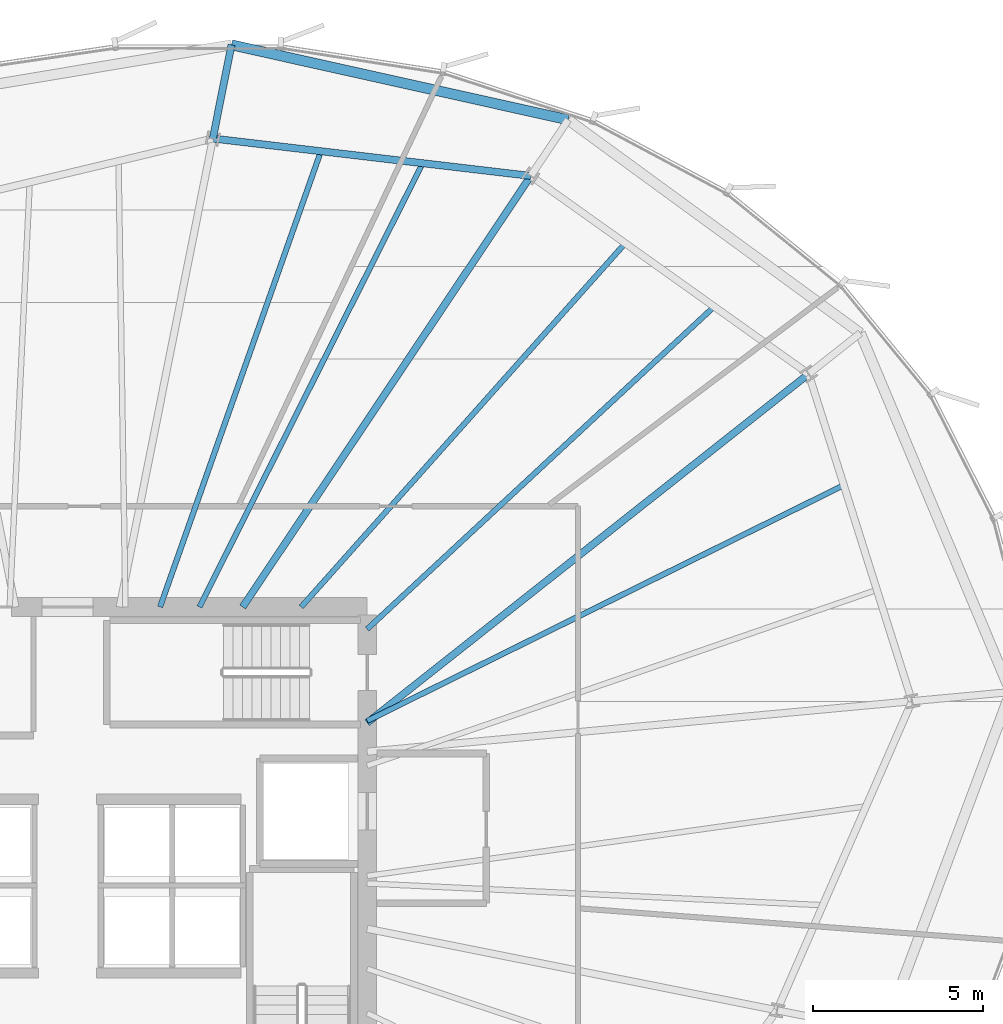
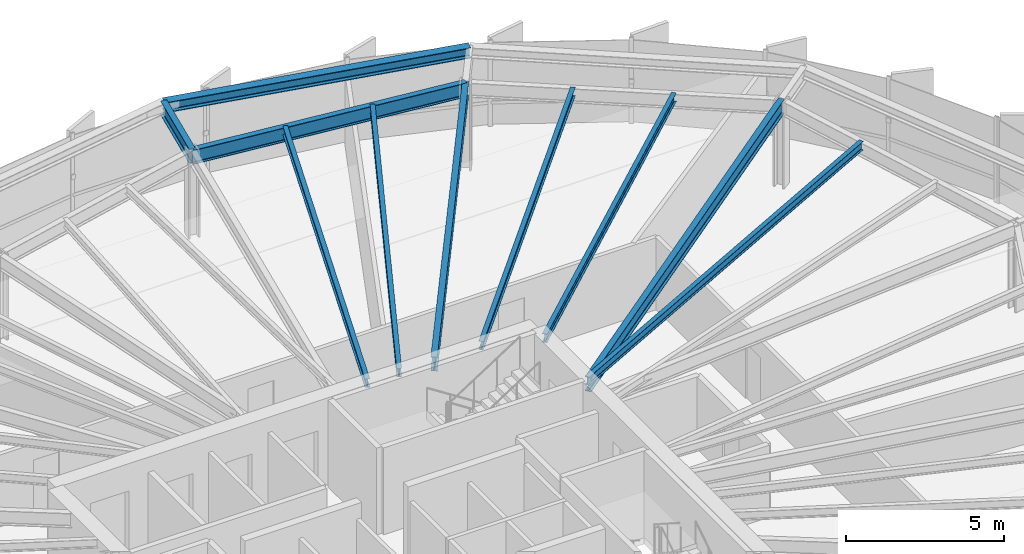
# One storey, part 22 of 33: 10 beams.
"""IFC4 building model written with IfcOpenShell, lengths in metres."""

import ifcopenshell
import ifcopenshell.guid

model = None  # the IFC model being written
_history = None  # IfcOwnerHistory: only IFC2X3 demands one
_inside = {}  # id of a spatial element -> (the spatial element, [elements in it])
_under = {}  # id of a project, library or spatial element -> (it, [spatial elements below it])
_declared = {}  # id of a project -> (the project, [libraries it declares])
_typed = {}  # id of a type object -> (the type object, [elements of that type])
_made_of = {}  # id of a material, layer set ... -> (it, [elements and type objects made of it])


def new_model(schema):
    """Start an empty IFC model of exactly this schema.

    Asked for "IFC4X3", IfcOpenShell would pick the latest addendum, in which some entities
    have other attributes; the version numbers below select the first issue.
    IFC2X3 requires an IfcOwnerHistory on every rooted entity: one is made here for all.
    """
    global model, _history
    if schema == "IFC4X3":
        model = ifcopenshell.file(schema_version=(4, 3, 0, 0))
    else:
        model = ifcopenshell.file(schema=schema)
    _inside.clear()
    _under.clear()
    _declared.clear()
    _typed.clear()
    _made_of.clear()
    _history = None
    if model.schema == "IFC2X3":
        org = make("IfcOrganization", Name="unknown")
        user = make(
            "IfcPersonAndOrganization",
            ThePerson=make("IfcPerson", FamilyName="unknown"),
            TheOrganization=org,
        )
        app = make(
            "IfcApplication",
            ApplicationDeveloper=org,
            Version="unknown",
            ApplicationFullName="unknown",
            ApplicationIdentifier="unknown",
        )
        _history = make(
            "IfcOwnerHistory",
            OwningUser=user,
            OwningApplication=app,
            ChangeAction="ADDED",
            CreationDate=0,
        )
    return model


def make(cls, **values):
    """One entity of the class cls with the attributes given. An attribute that is None is left unset."""
    return model.create_entity(
        cls, **{name: value for name, value in values.items() if value is not None}
    )


def rooted(cls, **values):
    """An entity with a GlobalId (a new one), such as an element, a storey or a relation."""
    return make(cls, GlobalId=ifcopenshell.guid.new(), OwnerHistory=_history, **values)


def si_unit(unit_type, name, prefix=None):
    """IfcSIUnit, for example si_unit("LENGTHUNIT", "METRE", prefix="MILLI")."""
    return make("IfcSIUnit", UnitType=unit_type, Prefix=prefix, Name=name)


def assignment(units):
    """IfcUnitAssignment: the units of a project."""
    return None if units is None else make("IfcUnitAssignment", Units=units)


def point(xyz):
    """IfcCartesianPoint."""
    return None if xyz is None else make("IfcCartesianPoint", Coordinates=xyz)


def direction(xyz):
    """IfcDirection."""
    return None if xyz is None else make("IfcDirection", DirectionRatios=xyz)


def frame(location, z_axis=None, x_axis=None):
    """IfcAxis2Placement3D, a coordinate frame: its origin and axes. An axis left out is left unset."""
    return make(
        "IfcAxis2Placement3D",
        Location=point(location),
        Axis=direction(z_axis),
        RefDirection=direction(x_axis),
    )


def frame_2d(location, x_axis=None):
    """IfcAxis2Placement2D, a coordinate frame in the plane: its origin and x axis."""
    return make(
        "IfcAxis2Placement2D", Location=point(location), RefDirection=direction(x_axis)
    )


def origin():
    """The frame at (0, 0, 0) with its axes left unset."""
    return frame((0.0, 0.0, 0.0))


def origin_2d():
    """The frame at (0, 0) in the plane with its x axis left unset."""
    return frame_2d((0.0, 0.0))


def place(relative_to, where):
    """IfcLocalPlacement: puts the frame where relative to a parent placement (None: the world)."""
    return make(
        "IfcLocalPlacement", PlacementRelTo=relative_to, RelativePlacement=where
    )


def context(
    kind, dimensions, precision=None, world=None, true_north=None, identifier=None
):
    """IfcGeometricRepresentationContext, for example the 3D "Model" context."""
    return make(
        "IfcGeometricRepresentationContext",
        ContextIdentifier=identifier,
        ContextType=kind,
        CoordinateSpaceDimension=dimensions,
        Precision=precision,
        WorldCoordinateSystem=world,
        TrueNorth=true_north,
    )


def subcontext(parent, identifier, kind, view, scale=None):
    """IfcGeometricRepresentationSubContext, for example "Body" below "Model"."""
    return make(
        "IfcGeometricRepresentationSubContext",
        ContextIdentifier=identifier,
        ContextType=kind,
        ParentContext=parent,
        TargetScale=scale,
        TargetView=view,
    )


def project(units=None, contexts=None):
    """IfcProject with its units and contexts."""
    return rooted(
        "IfcProject",
        Name="project",
        RepresentationContexts=contexts,
        UnitsInContext=assignment(units),
    )


def spatial(cls, under=None, at=None, **own):
    """A site, building, storey or space (cls), placed at a placement, below another one or the project."""
    s = rooted(cls, ObjectPlacement=at, **own)
    if under is not None:
        _under.setdefault(under.id(), (under, []))[1].append(s)
    return s


def profile(cls, at=None, kind="AREA", **sizes):
    """A parametric profile (cls). Its sizes go by their IFC names, for example OverallWidth=200.0."""
    return make(cls, ProfileType=kind, Position=at, **sizes)


def i_section(**sizes):
    """IfcIShapeProfileDef."""
    return profile("IfcIShapeProfileDef", **sizes)


def extrude(swept, where, along, depth):
    """IfcExtrudedAreaSolid: the profile swept, set in the frame where, extruded along a direction by depth."""
    return make(
        "IfcExtrudedAreaSolid",
        SweptArea=swept,
        Position=where,
        ExtrudedDirection=direction(along),
        Depth=depth,
    )


def shape(context_of_items, identifier, shape_type, items):
    """IfcShapeRepresentation: the items that make up one representation, for example the "Body"."""
    return make(
        "IfcShapeRepresentation",
        ContextOfItems=context_of_items,
        RepresentationIdentifier=identifier,
        RepresentationType=shape_type,
        Items=items,
    )


def source(mapping_origin, context_of_items, identifier, shape_type, items):
    """IfcRepresentationMap: a shape defined once, which mapped items show again and again."""
    return make(
        "IfcRepresentationMap",
        MappingOrigin=mapping_origin,
        MappedRepresentation=shape(context_of_items, identifier, shape_type, items),
    )


def transform(
    local_origin,
    x_axis=None,
    y_axis=None,
    z_axis=None,
    scale=None,
    scale2=None,
    scale3=None,
    uniform=True,
):
    """IfcCartesianTransformationOperator3D, or its non-uniform kind. x_axis, y_axis, z_axis: its Axis1, 2, 3."""
    if uniform:
        return make(
            "IfcCartesianTransformationOperator3D",
            Axis1=direction(x_axis),
            Axis2=direction(y_axis),
            LocalOrigin=point(local_origin),
            Scale=scale,
            Axis3=direction(z_axis),
        )
    return make(
        "IfcCartesianTransformationOperator3DnonUniform",
        Axis1=direction(x_axis),
        Axis2=direction(y_axis),
        LocalOrigin=point(local_origin),
        Scale=scale,
        Axis3=direction(z_axis),
        Scale2=scale2,
        Scale3=scale3,
    )


def mapped(mapping_source, mapping_target):
    """IfcMappedItem: shows the shape of a source again, moved by a transform."""
    return make(
        "IfcMappedItem", MappingSource=mapping_source, MappingTarget=mapping_target
    )


def material(Name=None, Category=None):
    """IfcMaterial."""
    return make("IfcMaterial", Name=Name, Category=Category)


def material_profile(
    of_material, cross_section, Name=None, Category=None, Priority=None
):
    """IfcMaterialProfile: a cross section and its material."""
    return make(
        "IfcMaterialProfile",
        Name=Name,
        Material=of_material,
        Profile=cross_section,
        Priority=Priority,
        Category=Category,
    )


def profile_set(profiles, Name=None, composite=None):
    """IfcMaterialProfileSet."""
    return make(
        "IfcMaterialProfileSet",
        Name=Name,
        MaterialProfiles=profiles,
        CompositeProfile=composite,
    )


def made_of(thing, what):
    """Note that an element or type object is made of a material, layer set ...; save() writes the relation."""
    if what is not None:
        _made_of.setdefault(what.id(), (what, []))[1].append(thing)
    return thing


def type_object(cls, material=None, **own):
    """A type object (cls), such as IfcWallType, which elements share."""
    return made_of(rooted(cls, **own), material)


def element(
    cls,
    number,
    at=None,
    inside=None,
    cuts=None,
    type_object=None,
    material=None,
    context=None,
    identifier="Body",
    shape_type=None,
    held_by="IfcProductDefinitionShape",
    body=None,
    shapes=None,
    **own,
):
    """One element of the class cls, such as IfcWall. Its Tag is "e" and its number.

    at: its placement. inside: the storey or other place that contains it. cuts: it is an
    opening in that element (IfcRelVoidsElement). A single representation is given by context,
    identifier, shape_type and body (its items); several are given by shapes. held_by: the class
    of the entity that holds the representations. save() writes the other relations.
    """
    e = rooted(cls, Tag="e%d" % number, ObjectPlacement=at, **own)
    if body is not None:
        shapes = [shape(context, identifier, shape_type, body)]
    if shapes is not None:
        e.Representation = make(held_by, Representations=shapes)
    if inside is not None:
        _inside.setdefault(inside.id(), (inside, []))[1].append(e)
    if cuts is not None:
        rooted(
            "IfcRelVoidsElement", RelatingBuildingElement=cuts, RelatedOpeningElement=e
        )
    if type_object is not None:
        _typed.setdefault(type_object.id(), (type_object, []))[1].append(e)
    return made_of(e, material)


def aggregate(whole, parts):
    """IfcRelAggregates: a whole, such as a stair, and the parts it consists of."""
    return rooted("IfcRelAggregates", RelatingObject=whole, RelatedObjects=parts)


def save(model, path):
    """Write the relations noted so far, then the file.

    IfcRelAggregates (storeys below a building ...), IfcRelContainedInSpatialStructure (elements
    in a storey), IfcRelDefinesByType, IfcRelAssociatesMaterial and IfcRelDeclares: one each for
    every whole, place, type object, material and project.
    """
    for whole, parts in _under.values():
        aggregate(whole, parts)
    for where, things in _inside.values():
        rooted(
            "IfcRelContainedInSpatialStructure",
            RelatedElements=things,
            RelatingStructure=where,
        )
    for kind, things in _typed.values():
        rooted("IfcRelDefinesByType", RelatedObjects=things, RelatingType=kind)
    for what, things in _made_of.values():
        rooted("IfcRelAssociatesMaterial", RelatedObjects=things, RelatingMaterial=what)
    for by, libraries in _declared.values():
        rooted("IfcRelDeclares", RelatingContext=by, RelatedDefinitions=libraries)
    model.write(path)


model = new_model("IFC4")

# Units and contexts
model_context = context("Model", 3, precision=1e-05, world=origin(), true_north=direction((0.0, 1.0)))
body_context = subcontext(model_context, "Body", "Model", "MODEL_VIEW")
ifc_project = project(units=[si_unit("LENGTHUNIT", "METRE"), si_unit("AREAUNIT", "SQUARE_METRE"), si_unit("VOLUMEUNIT", "CUBIC_METRE"), si_unit("PLANEANGLEUNIT", "RADIAN"), si_unit("MASSUNIT", "GRAM", prefix="KILO"), si_unit("THERMODYNAMICTEMPERATUREUNIT", "KELVIN")], contexts=[model_context])

# Site, building, storey
site_placement = place(None, origin())
site = spatial("IfcSite", under=ifc_project, at=site_placement, CompositionType="ELEMENT")
building_placement = place(site_placement, origin())
building = spatial("IfcBuilding", under=site, at=building_placement, Name="Kethvar Cultural Tower", CompositionType="ELEMENT")
storey_placement = place(building_placement, frame((0.0, 0.0, 118.0)))
storey = spatial("IfcBuildingStorey", under=building, at=storey_placement, Name="L29", CompositionType="ELEMENT", Elevation=118.0)

# Beams
ifc_material = material(Name="Steel S355J2", Category="steel")
ifc_material_profile_1 = material_profile(ifc_material, i_section(OverallWidth=0.2099609375, OverallDepth=0.550048828125, WebThickness=0.010986328125, FlangeThickness=0.01708984375, FilletRadius=0.02392578125, at=origin_2d()), Name="Steel S355J2 — IPE550")
ifc_profile_set_1 = profile_set([ifc_material_profile_1], Name="Steel S355J2 — IPE550")
beam_type_1 = type_object("IfcBeamType", Name="BM-IPE550", PredefinedType="BEAM", material=ifc_profile_set_1)
shared_shape_1 = source(origin(), body_context, "Body", "SweptSolid", [
    extrude(i_section(OverallWidth=0.2099609375, OverallDepth=0.550048828125, WebThickness=0.010986328125, FlangeThickness=0.01708984375, FilletRadius=0.02392578125, at=origin_2d()), origin(), (0.0, 0.0, 1.0), 16.527099609375),
])
beam_1_placement = place(storey_placement, frame((55.60009765625, 32.10009765625, 3.072998046875), z_axis=(0.784681939021, 0.619898584105, 0.0), x_axis=(-0.619898584105, 0.784681939021, 0.0)))
element("IfcBeam", 1, at=beam_1_placement, inside=storey, type_object=beam_type_1, Name="L29 Primary Radial Beam RB-02", PredefinedType="BEAM", context=body_context, shape_type="MappedRepresentation", body=[
    mapped(shared_shape_1, transform((0.0, 0.0, 0.0), scale=1.0)),
])
shared_shape_2 = source(origin(), body_context, "Body", "SweptSolid", [
    extrude(i_section(OverallWidth=0.2099609375, OverallDepth=0.550048828125, WebThickness=0.010986328125, FlangeThickness=0.01708984375, FilletRadius=0.02392578125, at=origin_2d()), origin(), (0.0, 0.0, 1.0), 15.22705078125),
])
beam_2_placement = place(storey_placement, frame((51.945068359375, 35.5, 3.072998046875), z_axis=(0.555569390778, 0.83147017507, 0.0), x_axis=(-0.83147017507, 0.555569390778, 0.0)))
element("IfcBeam", 2, at=beam_2_placement, inside=storey, type_object=beam_type_1, Name="L29 Primary Radial Beam RB-03", PredefinedType="BEAM", context=body_context, shape_type="MappedRepresentation", body=[
    mapped(shared_shape_2, transform((0.0, 0.0, 0.0), scale=1.0)),
])
ifc_material_profile_2 = material_profile(ifc_material, i_section(OverallWidth=0.159912109375, OverallDepth=0.330078125, WebThickness=0.007568359375, FlangeThickness=0.011474609375, FilletRadius=0.01806640625, at=origin_2d()), Name="Steel S355J2 — IPE330")
ifc_profile_set_2 = profile_set([ifc_material_profile_2], Name="Steel S355J2 — IPE330")
beam_type_2 = type_object("IfcBeamType", Name="BM-J330", PredefinedType="JOIST", material=ifc_profile_set_2)
shared_shape_3 = source(origin(), body_context, "Body", "SweptSolid", [
    extrude(i_section(OverallWidth=0.159912109375, OverallDepth=0.330078125, WebThickness=0.007568359375, FlangeThickness=0.011474609375, FilletRadius=0.01806640625, at=origin_2d()), origin(), (0.0, 0.0, 1.0), 15.618896484375),
])
beam_3_placement = place(storey_placement, frame((55.60009765625, 32.152587890625, 3.18310546875), z_axis=(0.896344638992, 0.443357968408, 0.0), x_axis=(-0.443357968408, 0.896344638992, 0.0)))
element("IfcBeam", 3, at=beam_3_placement, inside=storey, type_object=beam_type_2, Name="L29 Composite Floor Joist J-01B", PredefinedType="JOIST", context=body_context, shape_type="MappedRepresentation", body=[
    mapped(shared_shape_3, transform((0.0, 0.0, 0.0), scale=1.0)),
])
shared_shape_4 = source(origin(), body_context, "Body", "SweptSolid", [
    extrude(i_section(OverallWidth=0.159912109375, OverallDepth=0.330078125, WebThickness=0.007568359375, FlangeThickness=0.011474609375, FilletRadius=0.01806640625, at=origin_2d()), origin(), (0.0, 0.0, 1.0), 13.91455078125),
])
beam_4_placement = place(storey_placement, frame((55.60009765625, 34.85009765625, 3.18310546875), z_axis=(0.732512843328, 0.680753211054, 0.0), x_axis=(-0.680753211054, 0.732512843328, 0.0)))
element("IfcBeam", 4, at=beam_4_placement, inside=storey, type_object=beam_type_2, Name="L29 Composite Floor Joist J-02A", PredefinedType="JOIST", context=body_context, shape_type="MappedRepresentation", body=[
    mapped(shared_shape_4, transform((0.0, 0.0, 0.0), scale=1.0)),
])
shared_shape_5 = source(origin(), body_context, "Body", "SweptSolid", [
    extrude(i_section(OverallWidth=0.159912109375, OverallDepth=0.330078125, WebThickness=0.007568359375, FlangeThickness=0.011474609375, FilletRadius=0.01806640625, at=origin_2d()), origin(), (0.0, 0.0, 1.0), 14.3095703125),
])
beam_5_placement = place(storey_placement, frame((53.660888671875, 35.5, 3.18310546875), z_axis=(0.665261381663, 0.746610537073, 0.0), x_axis=(-0.746610537073, 0.665261381663, 0.0)))
element("IfcBeam", 5, at=beam_5_placement, inside=storey, type_object=beam_type_2, Name="L29 Composite Floor Joist J-02B", PredefinedType="JOIST", context=body_context, shape_type="MappedRepresentation", body=[
    mapped(shared_shape_5, transform((0.0, 0.0, 0.0), scale=1.0)),
])
shared_shape_6 = source(origin(), body_context, "Body", "SweptSolid", [
    extrude(i_section(OverallWidth=0.2099609375, OverallDepth=0.550048828125, WebThickness=0.010986328125, FlangeThickness=0.01708984375, FilletRadius=0.02392578125, at=origin_2d()), origin(), (0.0, 0.0, 1.0), 9.400634765625),
])
beam_6_placement = place(storey_placement, frame((60.40478515625, 48.160888671875, 3.072998046875), z_axis=(-0.993150427046, 0.116842754407, 0.0), x_axis=(-0.116842754407, -0.993150427046, 0.0)))
element("IfcBeam", 6, at=beam_6_placement, inside=storey, type_object=beam_type_1, Name="L29 Column Ring Tie Beam CR-03", PredefinedType="BEAM", context=body_context, shape_type="MappedRepresentation", body=[
    mapped(shared_shape_6, transform((0.0, 0.0, 0.0), scale=1.0)),
])
shared_shape_7 = source(origin(), body_context, "Body", "SweptSolid", [
    extrude(i_section(OverallWidth=0.159912109375, OverallDepth=0.330078125, WebThickness=0.007568359375, FlangeThickness=0.011474609375, FilletRadius=0.01806640625, at=origin_2d()), origin(), (0.0, 0.0, 1.0), 14.590576171875),
])
beam_7_placement = place(storey_placement, frame((50.673583984375, 35.5, 3.18310546875), z_axis=(0.449394228778, 0.893333547529, 0.0), x_axis=(-0.893333547529, 0.449394228778, 0.0)))
element("IfcBeam", 7, at=beam_7_placement, inside=storey, type_object=beam_type_2, Name="L29 Composite Floor Joist J-03A", PredefinedType="JOIST", context=body_context, shape_type="MappedRepresentation", body=[
    mapped(shared_shape_7, transform((0.0, 0.0, 0.0), scale=1.0)),
])
shared_shape_8 = source(origin(), body_context, "Body", "SweptSolid", [
    extrude(i_section(OverallWidth=0.159912109375, OverallDepth=0.330078125, WebThickness=0.007568359375, FlangeThickness=0.011474609375, FilletRadius=0.01806640625, at=origin_2d()), origin(), (0.0, 0.0, 1.0), 14.1953125),
])
beam_8_placement = place(storey_placement, frame((49.517822265625, 35.5, 3.18310546875), z_axis=(0.332865098769, 0.942974456717, 0.0), x_axis=(-0.942974456717, 0.332865098769, 0.0)))
element("IfcBeam", 8, at=beam_8_placement, inside=storey, type_object=beam_type_2, Name="L29 Composite Floor Joist J-03B", PredefinedType="JOIST", context=body_context, shape_type="MappedRepresentation", body=[
    mapped(shared_shape_8, transform((0.0, 0.0, 0.0), scale=1.0)),
])
shared_shape_9 = source(origin(), body_context, "Body", "SweptSolid", [
    extrude(i_section(OverallWidth=0.2099609375, OverallDepth=0.550048828125, WebThickness=0.010986328125, FlangeThickness=0.01708984375, FilletRadius=0.02392578125, at=origin_2d()), origin(), (0.0, 0.0, 1.0), 2.80615234375),
])
beam_9_placement = place(storey_placement, frame((51.068603515625, 49.25927734375, 3.072998046875), z_axis=(0.195061940459, 0.980790925419, 0.0), x_axis=(-0.980790925419, 0.195061940459, 0.0)))
element("IfcBeam", 9, at=beam_9_placement, inside=storey, type_object=beam_type_1, Name="L29 Perimeter Cantilever Beam RC-04", PredefinedType="BEAM", context=body_context, shape_type="MappedRepresentation", body=[
    mapped(shared_shape_9, transform((0.0, 0.0, 0.0), scale=1.0)),
])
ifc_material_profile_3 = material_profile(ifc_material, i_section(OverallWidth=0.300048828125, OverallDepth=0.39990234375, WebThickness=0.013427734375, FlangeThickness=0.02392578125, FilletRadius=0.027099609375, at=origin_2d()), Name="Steel S355J2 — HEB400")
ifc_profile_set_3 = profile_set([ifc_material_profile_3], Name="Steel S355J2 — HEB400")
beam_type_3 = type_object("IfcBeamType", Name="BM-SP400", PredefinedType="SPANDREL", material=ifc_profile_set_3)
shared_shape_10 = source(origin(), body_context, "Body", "SweptSolid", [
    extrude(i_section(OverallWidth=0.300048828125, OverallDepth=0.39990234375, WebThickness=0.013427734375, FlangeThickness=0.02392578125, FilletRadius=0.027099609375, at=origin_2d()), origin(), (0.0, 0.0, 1.0), 10.132080078125),
])
beam_10_placement = place(storey_placement, frame((61.505615234375, 49.80859375, 3.14794921875), z_axis=(-0.976078648531, 0.217417735896, 0.0), x_axis=(-0.217417735896, -0.976078648531, 0.0)))
element("IfcBeam", 10, at=beam_10_placement, inside=storey, type_object=beam_type_3, Name="L29 Perimeter Spandrel Beam SP-03", PredefinedType="SPANDREL", context=body_context, shape_type="MappedRepresentation", body=[
    mapped(shared_shape_10, transform((0.0, 0.0, 0.0), scale=1.0)),
])

save(model, "model.ifc")
